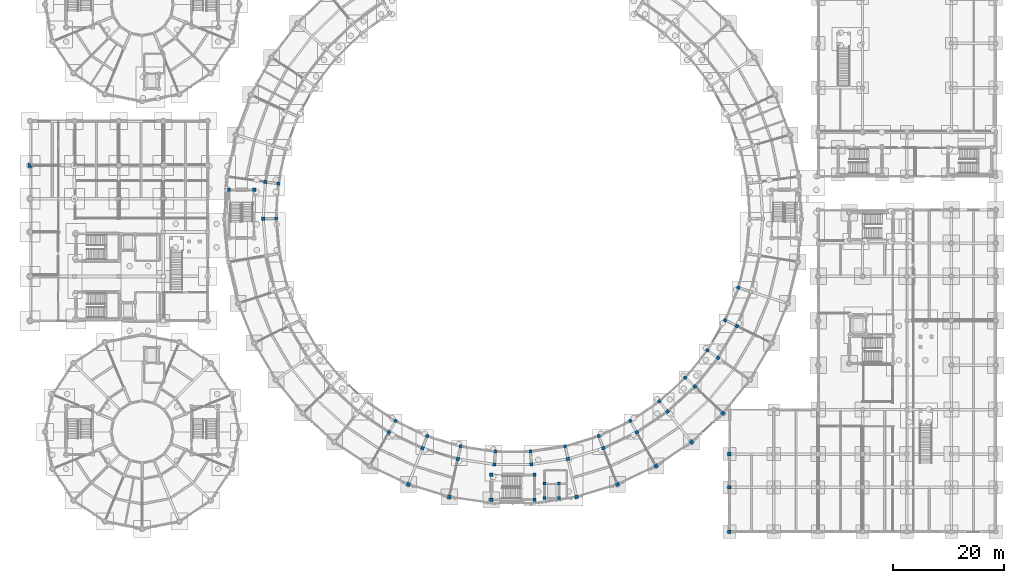
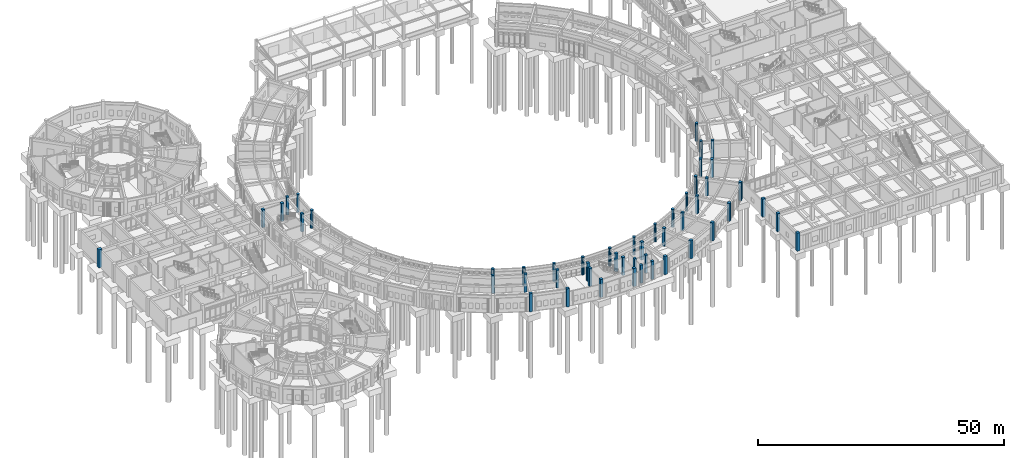
# One storey, part 11 of 153: 50 columns.
"""IFC4 building model written with IfcOpenShell, lengths in metres."""

from ifc_helpers import new_model, si_unit, direction, frame, origin, origin_2d, place, context, subcontext, project, spatial, rectangle, circle, extrude, material, material_profile, profile_set, type_object, element, save


model = new_model("IFC4")

# Units and contexts
model_context = context("Model", 3, precision=1e-05, world=origin(), true_north=direction((0.0, 1.0)))
body_context = subcontext(model_context, "Body", "Model", "MODEL_VIEW")
ifc_project = project(units=[si_unit("LENGTHUNIT", "METRE"), si_unit("AREAUNIT", "SQUARE_METRE"), si_unit("VOLUMEUNIT", "CUBIC_METRE"), si_unit("PLANEANGLEUNIT", "RADIAN"), si_unit("MASSUNIT", "GRAM", prefix="KILO")], contexts=[model_context])

# Site, building, storey
site_placement = place(None, origin())
site = spatial("IfcSite", under=ifc_project, at=site_placement, CompositionType="ELEMENT")
building_placement = place(site_placement, origin())
building = spatial("IfcBuilding", under=site, at=building_placement, Name="Celadon Cloister-Ring School", CompositionType="ELEMENT")
storey_placement = place(building_placement, origin())
storey = spatial("IfcBuildingStorey", under=building, at=storey_placement, Name="L00", CompositionType="ELEMENT", Elevation=0.0)

# Columns
ifc_material_1 = material(Name="Concrete C40/50", Category="concrete")
ifc_material_profile_1 = material_profile(ifc_material_1, rectangle(XDim=0.75, YDim=0.75, at=origin_2d()), Name="RC750X750")
ifc_profile_set_1 = profile_set([ifc_material_profile_1], Name="Concrete C40/50")
column_type_1 = type_object("IfcColumnType", Name="CT-01", PredefinedType="COLUMN", material=ifc_profile_set_1)
column_placement = place(storey_placement, frame((0.0, 68.0, 0.0), z_axis=(0.0, 0.0, 1.0), x_axis=(1.0, 0.0, 0.0)))
element("IfcColumn", 1, at=column_placement, inside=storey, type_object=column_type_1, Name="Column 1082", PredefinedType="COLUMN", context=body_context, shape_type="SweptSolid", body=[
    extrude(rectangle(XDim=0.75, YDim=0.75, at=origin_2d()), origin(), (0.0, 0.0, 1.0), 4.5),
])
ifc_material_2 = material(Name="Concrete C40/50", Category="concrete")
ifc_material_profile_2 = material_profile(ifc_material_2, rectangle(XDim=0.64990234375, YDim=0.64990234375, at=origin_2d()), Name="RC650X650")
ifc_profile_set_2 = profile_set([ifc_material_profile_2], Name="Concrete C40/50")
column_type_2 = type_object("IfcColumnType", Name="CT-03", PredefinedType="COLUMN", material=ifc_profile_set_2)
for number, where, z_axis, x_axis, name in (
    (2, (126.0, 10.0, 0.0), (0.0, 0.0, 1.0), (1.0, 0.0, 0.0), "Column 0907"),
    (3, (126.0, 16.0, 0.0), (0.0, 0.0, 1.0), (1.0, 0.0, 0.0), "Column 0909"),
    (4, (126.0, 2.0, 0.0), (0.0, 0.0, 1.0), (1.0, 0.0, 0.0), "Column 0911"),
):
    element("IfcColumn", number, at=place(storey_placement, frame(where, z_axis=z_axis, x_axis=x_axis)), inside=storey, type_object=column_type_2, Name=name, PredefinedType="COLUMN", context=body_context, shape_type="SweptSolid", body=[
        extrude(rectangle(XDim=0.64990234375, YDim=0.64990234375, at=origin_2d()), origin(), (0.0, 0.0, 1.0), 4.5),
    ])
ifc_material_3 = material(Name="Concrete C40/50", Category="concrete")
ifc_material_profile_3 = material_profile(ifc_material_3, rectangle(XDim=0.60009765625, YDim=0.60009765625, at=origin_2d()), Name="RC600X600")
ifc_profile_set_3 = profile_set([ifc_material_profile_3], Name="Concrete C40/50")
column_type_3 = type_object("IfcColumnType", Name="CT-04", PredefinedType="COLUMN", material=ifc_profile_set_3)
for number, where, z_axis, x_axis, name in (
    (5, (83.10009765625, 7.75, 0.0), (0.0, 0.0, 1.0), (1.0, 0.0, 0.0), "Column 0017"),
    (6, (90.89990234375, 7.75, 0.0), (0.0, 0.0, 1.0), (1.0, 0.0, 0.0), "Column 0021"),
    (7, (90.89990234375, 12.27001953125, 0.0), (0.0, 0.0, 1.0), (1.0, 0.0, 0.0), "Column 0025"),
    (8, (83.10009765625, 12.27001953125, 0.0), (0.0, 0.0, 1.0), (1.0, 0.0, 0.0), "Column 0029"),
    (9, (40.3701171875, 63.6201171875, 0.0), (0.0, 0.0, 1.0), (1.0, 0.0, 0.0), "Column 0041"),
    (10, (35.85009765625, 63.6201171875, 0.0), (0.0, 0.0, 1.0), (1.0, 0.0, 0.0), "Column 0045"),
    (11, (42.406005859375, 65.031982421875, 0.0), (0.0, 0.0, 1.0), (-0.9909738433, 0.13405536877, 0.0), "Column 0420"),
    (12, (42.00390625, 58.3779296875, 0.0), (0.0, 0.0, 1.0), (-0.999904463751, -0.013822567474, 0.0), "Column 0424"),
    (13, (64.679931640625, 19.926025390625, 0.0), (0.0, 0.0, 1.0), (-0.496004347874, -0.868320037135, 0.0), "Column 0452"),
    (14, (70.697998046875, 17.056884765625, 0.0), (0.0, 0.0, 1.0), (-0.362275366705, -0.932071112458, 0.0), "Column 0456"),
    (15, (77.072998046875, 15.10888671875, 0.0), (0.0, 0.0, 1.0), (-0.220595296203, -0.975365426542, 0.0), "Column 0460"),
    (16, (83.6669921875, 14.1240234375, 0.0), (0.0, 0.0, 1.0), (-0.074073679552, -0.997252771366, 0.0), "Column 0464"),
    (17, (90.3330078125, 14.1240234375, 0.0), (0.0, 0.0, 1.0), (0.074073679552, -0.997252771366, 0.0), "Column 0468"),
    (18, (96.927001953125, 15.10888671875, 0.0), (0.0, 0.0, 1.0), (0.220595296203, -0.975365426542, 0.0), "Column 0472"),
    (19, (103.302001953125, 17.056884765625, 0.0), (0.0, 0.0, 1.0), (0.362275366705, -0.932071112458, 0.0), "Column 0476"),
    (20, (109.320068359375, 19.926025390625, 0.0), (0.0, 0.0, 1.0), (0.496004347874, -0.868320037135, 0.0), "Column 0480"),
    (21, (114.847900390625, 23.652099609375, 0.0), (0.0, 0.0, 1.0), (0.618847204173, -0.785511386224, 0.0), "Column 0484"),
    (22, (119.764892578125, 28.154052734375, 0.0), (0.0, 0.0, 1.0), (0.728107824814, -0.685462614185, 0.0), "Column 0488"),
    (23, (123.9619140625, 33.3330078125, 0.0), (0.0, 0.0, 1.0), (0.821388197028, -0.57036955545, 0.0), "Column 0492"),
    (24, (127.34912109375, 39.075927734375, 0.0), (0.0, 0.0, 1.0), (0.896641036785, -0.442758231039, 0.0), "Column 0496"),
):
    element("IfcColumn", number, at=place(storey_placement, frame(where, z_axis=z_axis, x_axis=x_axis)), inside=storey, type_object=column_type_3, Name=name, PredefinedType="COLUMN", context=body_context, shape_type="SweptSolid", body=[
        extrude(rectangle(XDim=0.60009765625, YDim=0.60009765625, at=origin_2d()), origin(), (0.0, 0.0, 1.0), 4.5),
    ])
ifc_material_4 = material(Name="Concrete C40/50", Category="concrete")
ifc_material_profile_4 = material_profile(ifc_material_4, rectangle(XDim=0.550048828125, YDim=0.550048828125, at=origin_2d()), Name="RC550X550")
ifc_profile_set_4 = profile_set([ifc_material_profile_4], Name="Concrete C40/50")
column_type_4 = type_object("IfcColumnType", Name="CT-05", PredefinedType="COLUMN", material=ifc_profile_set_4)
for number, where, z_axis, x_axis, name in (
    (25, (92.699951171875, 8.050048828125, 0.0), (0.0, 0.0, 1.0), (1.0, 0.0, 0.0), "Column 0260"),
    (26, (95.300048828125, 8.050048828125, 0.0), (0.0, 0.0, 1.0), (1.0, 0.0, 0.0), "Column 0264"),
    (27, (95.300048828125, 10.64990234375, 0.0), (0.0, 0.0, 1.0), (1.0, 0.0, 0.0), "Column 0268"),
    (28, (92.699951171875, 10.64990234375, 0.0), (0.0, 0.0, 1.0), (1.0, 0.0, 0.0), "Column 0272"),
):
    element("IfcColumn", number, at=place(storey_placement, frame(where, z_axis=z_axis, x_axis=x_axis)), inside=storey, type_object=column_type_4, Name=name, PredefinedType="COLUMN", context=body_context, shape_type="SweptSolid", body=[
        extrude(rectangle(XDim=0.550048828125, YDim=0.550048828125, at=origin_2d()), origin(), (0.0, 0.0, 1.0), 4.5),
    ])
ifc_material_5 = material(Name="Concrete C40/50", Category="concrete")
ifc_material_profile_5 = material_profile(ifc_material_5, rectangle(XDim=0.64990234375, YDim=0.64990234375, at=origin_2d()), Name="RC650X650")
ifc_profile_set_5 = profile_set([ifc_material_profile_5], Name="Concrete C40/50")
column_type_5 = type_object("IfcColumnType", Name="CT-22", PredefinedType="COLUMN", material=ifc_profile_set_5)
for number, where, z_axis, x_axis, name in (
    (29, (68.162109375, 10.531982421875, 0.0), (0.0, 0.0, 1.0), (-0.362275366705, -0.932071112458, 0.0), "Column 0600"),
    (30, (75.529052734375, 8.281005859375, 0.0), (0.0, 0.0, 1.0), (-0.220595296203, -0.975365426542, 0.0), "Column 0604"),
    (31, (98.470947265625, 8.281005859375, 0.0), (0.0, 0.0, 1.0), (0.220595296203, -0.975365426542, 0.0), "Column 0608"),
    (32, (105.837890625, 10.531982421875, 0.0), (0.0, 0.0, 1.0), (0.362275366705, -0.932071112458, 0.0), "Column 0612"),
    (33, (112.7919921875, 13.846923828125, 0.0), (0.0, 0.0, 1.0), (0.496004347874, -0.868320037135, 0.0), "Column 0616"),
    (34, (119.179931640625, 18.153076171875, 0.0), (0.0, 0.0, 1.0), (0.618847204173, -0.785511386224, 0.0), "Column 0620"),
    (35, (124.862060546875, 23.35595703125, 0.0), (0.0, 0.0, 1.0), (0.728107824814, -0.685462614185, 0.0), "Column 0624"),
):
    element("IfcColumn", number, at=place(storey_placement, frame(where, z_axis=z_axis, x_axis=x_axis)), inside=storey, type_object=column_type_5, Name=name, PredefinedType="COLUMN", context=body_context, shape_type="SweptSolid", body=[
        extrude(rectangle(XDim=0.64990234375, YDim=0.64990234375, at=origin_2d()), origin(), (0.0, 0.0, 1.0), 4.5),
    ])
ifc_material_6 = material(Name="Concrete C40/50", Category="concrete")
ifc_material_profile_6 = material_profile(ifc_material_6, circle(Radius=0.324951171875, at=origin_2d()), Name="CIRC650")
ifc_profile_set_6 = profile_set([ifc_material_profile_6], Name="Concrete C40/50")
column_type_6 = type_object("IfcColumnType", Name="CT-25", PredefinedType="COLUMN", material=ifc_profile_set_6)
for number, where, z_axis, x_axis, name in (
    (36, (44.735107421875, 64.717041015625, 0.0), (0.0, 0.0, 1.0), (1.0, 0.0, 0.0), "Column 0336"),
    (37, (44.35400390625, 58.409912109375, 0.0), (0.0, 0.0, 1.0), (1.0, 0.0, 0.0), "Column 0338"),
    (38, (65.844970703125, 21.966064453125, 0.0), (0.0, 0.0, 1.0), (1.0, 0.0, 0.0), "Column 0352"),
    (39, (71.549072265625, 19.2470703125, 0.0), (0.0, 0.0, 1.0), (1.0, 0.0, 0.0), "Column 0354"),
    (40, (77.592041015625, 17.40087890625, 0.0), (0.0, 0.0, 1.0), (1.0, 0.0, 0.0), "Column 0356"),
    (41, (83.841064453125, 16.467041015625, 0.0), (0.0, 0.0, 1.0), (1.0, 0.0, 0.0), "Column 0358"),
    (42, (90.158935546875, 16.467041015625, 0.0), (0.0, 0.0, 1.0), (1.0, 0.0, 0.0), "Column 0360"),
    (43, (96.407958984375, 17.40087890625, 0.0), (0.0, 0.0, 1.0), (1.0, 0.0, 0.0), "Column 0362"),
    (44, (102.450927734375, 19.2470703125, 0.0), (0.0, 0.0, 1.0), (1.0, 0.0, 0.0), "Column 0364"),
    (45, (108.155029296875, 21.966064453125, 0.0), (0.0, 0.0, 1.0), (1.0, 0.0, 0.0), "Column 0366"),
    (46, (113.39404296875, 25.498046875, 0.0), (0.0, 0.0, 1.0), (1.0, 0.0, 0.0), "Column 0368"),
    (47, (118.053955078125, 29.764892578125, 0.0), (0.0, 0.0, 1.0), (1.0, 0.0, 0.0), "Column 0370"),
    (48, (122.031982421875, 34.674072265625, 0.0), (0.0, 0.0, 1.0), (1.0, 0.0, 0.0), "Column 0372"),
    (49, (125.241943359375, 40.115966796875, 0.0), (0.0, 0.0, 1.0), (1.0, 0.0, 0.0), "Column 0374"),
    (50, (127.612060546875, 45.972900390625, 0.0), (0.0, 0.0, 1.0), (1.0, 0.0, 0.0), "Column 0376"),
):
    element("IfcColumn", number, at=place(storey_placement, frame(where, z_axis=z_axis, x_axis=x_axis)), inside=storey, type_object=column_type_6, Name=name, PredefinedType="COLUMN", context=body_context, shape_type="SweptSolid", body=[
        extrude(circle(Radius=0.324951171875, at=origin_2d()), origin(), (0.0, 0.0, 1.0), 4.5),
    ])

save(model, "model.ifc")
